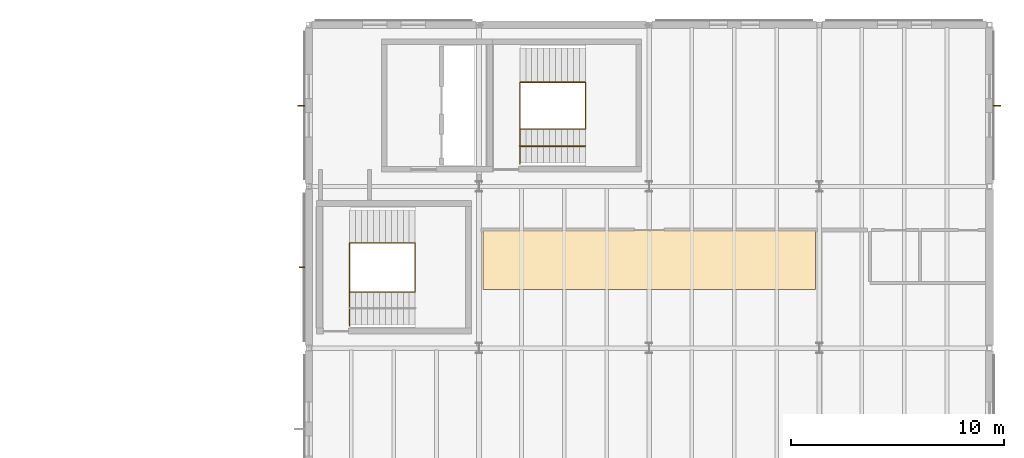
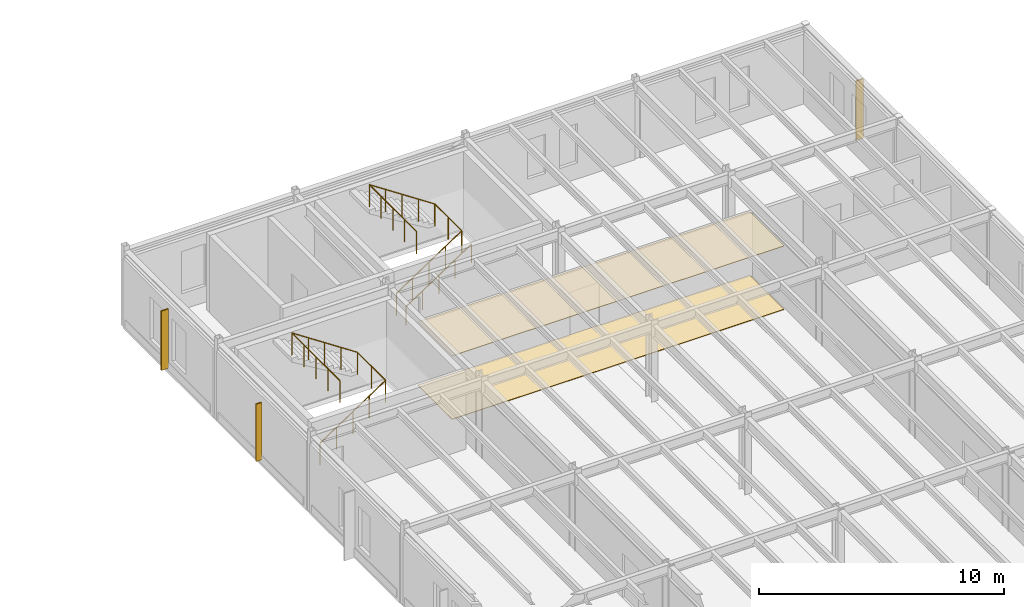
# One storey, part 189 of 189: 3 railings, 3 shading devices, 2 coverings.
"""IFC4 building model written with IfcOpenShell, lengths in metres."""

from ifc_helpers import new_model, si_unit, direction, frame, origin, origin_2d, place, context, subcontext, project, spatial, polyline, rectangle, circle, outline, extrude, material, layer, layer_set, type_object, element, save


model = new_model("IFC4")

# Units and contexts
model_context = context("Model", 3, precision=1e-05, world=origin(), true_north=direction((0.0, 1.0)))
body_context = subcontext(model_context, "Body", "Model", "MODEL_VIEW")
ifc_project = project(units=[si_unit("LENGTHUNIT", "METRE"), si_unit("AREAUNIT", "SQUARE_METRE"), si_unit("VOLUMEUNIT", "CUBIC_METRE"), si_unit("PLANEANGLEUNIT", "RADIAN"), si_unit("MASSUNIT", "GRAM", prefix="KILO")], contexts=[model_context])

# Site, building, storey
site_placement = place(None, origin())
site = spatial("IfcSite", under=ifc_project, at=site_placement, CompositionType="ELEMENT")
building_placement = place(site_placement, origin())
building = spatial("IfcBuilding", under=site, at=building_placement, Name="Montecoro Central Library", CompositionType="ELEMENT")
storey_placement = place(building_placement, frame((0.0, 0.0, 9.179931640625)))
storey = spatial("IfcBuildingStorey", under=building, at=storey_placement, Name="L02", CompositionType="ELEMENT", Elevation=9.179931640625)

# Coverings
ifc_material_1 = material(Name="Acoustic perforated mineral ceiling")
ifc_layer_1 = layer(ifc_material_1, 0.02490234375)
ifc_layer_set_1 = layer_set([ifc_layer_1], Name="Acoustic perforated mineral ceiling")
covering_type_1 = type_object("IfcCoveringType", Name="COV-CLG-01", PredefinedType="CEILING", material=ifc_layer_set_1)
covering_1_placement = place(storey_placement, frame((0.0, 0.0, 3.155029296875)))
element("IfcCovering", 1, at=covering_1_placement, inside=storey, type_object=covering_type_1, Name="CLG-SP-V5-L02-R2P1", PredefinedType="CEILING", context=body_context, shape_type="SweptSolid", body=[
    extrude(outline(polyline([(149.18994140625, 106.550048828125), (164.81005859375, 106.550048828125), (164.81005859375, 109.35009765625), (149.18994140625, 109.35009765625), (149.18994140625, 106.550048828125)])), origin(), (0.0, 0.0, 1.0), 0.025146484375),
])
ifc_material_2 = material(Name="Neapolitan brass-inlaid terrazzo flooring")
ifc_layer_2 = layer(ifc_material_2, 0.028076171875)
ifc_layer_set_2 = layer_set([ifc_layer_2], Name="Neapolitan brass-inlaid terrazzo flooring")
covering_type_2 = type_object("IfcCoveringType", Name="COV-FLR-01", PredefinedType="FLOORING", material=ifc_layer_set_2)
covering_2_placement = place(storey_placement, origin())
element("IfcCovering", 2, at=covering_2_placement, inside=storey, type_object=covering_type_2, Name="FLR-SP-V5-L02-R2P1", PredefinedType="FLOORING", context=body_context, shape_type="SweptSolid", body=[
    extrude(outline(polyline([(149.18994140625, 106.550048828125), (164.81005859375, 106.550048828125), (164.81005859375, 109.35009765625), (149.18994140625, 109.35009765625), (149.18994140625, 106.550048828125)])), origin(), (0.0, 0.0, 1.0), 0.028076171875),
])

# Railings
ifc_material_3 = material(Name="Brushed stainless steel and bronze balustrade", Category="steel")
railing_type_1 = type_object("IfcRailingType", Name="GRD-INT-110", PredefinedType="GUARDRAIL", material=ifc_material_3)
railing_1_placement = place(storey_placement, frame((150.919921875, 114.10009765625, 0.0)))
element("IfcRailing", 3, at=railing_1_placement, inside=storey, type_object=railing_type_1, Name="C6-L02-STR-GRD", PredefinedType="GUARDRAIL", context=body_context, shape_type="SweptSolid", body=[
    extrude(circle(Radius=0.02392578125, at=origin_2d()), frame((0.0, 0.0, 1.09619140625), z_axis=(0.833713881912, 0.0, 0.552196670677), x_axis=(0.0, 1.0, 0.0)), (0.0, 0.0, 1.0), 3.6943359375),
    extrude(circle(Radius=0.02392578125, at=origin_2d()), frame((3.080078125, 0.0, 3.13623046875), z_axis=(0.0, 1.0, 0.0), x_axis=(-1.0, 0.0, 0.0)), (0.0, 0.0, 1.0), 2.199951171875),
    extrude(circle(Radius=0.02392578125, at=origin_2d()), frame((3.080078125, 2.199951171875, 3.13623046875), z_axis=(-0.833713881912, 0.0, 0.552196670677), x_axis=(0.0, -1.0, 0.0)), (0.0, 0.0, 1.0), 3.6943359375),
    extrude(circle(Radius=0.02392578125, at=origin_2d()), frame((0.0, 2.199951171875, 5.17626953125), z_axis=(0.0, -1.0, 0.0), x_axis=(1.0, 0.0, 0.0)), (0.0, 0.0, 1.0), 3.85009765625),
    extrude(circle(Radius=0.02099609375, at=origin_2d()), origin(), (0.0, 0.0, 1.0), 1.072021484375),
    extrude(circle(Radius=0.02099609375, at=origin_2d()), frame((0.77001953125, 0.0, 0.510009765625)), (0.0, 0.0, 1.0), 1.072021484375),
    extrude(circle(Radius=0.02099609375, at=origin_2d()), frame((1.5400390625, 0.0, 1.02001953125)), (0.0, 0.0, 1.0), 1.072021484375),
    extrude(circle(Radius=0.02099609375, at=origin_2d()), frame((2.31005859375, 0.0, 1.530029296875)), (0.0, 0.0, 1.0), 1.072021484375),
    extrude(circle(Radius=0.02099609375, at=origin_2d()), frame((3.080078125, 0.0, 2.0400390625)), (0.0, 0.0, 1.0), 1.072021484375),
    extrude(circle(Radius=0.02099609375, at=origin_2d()), frame((3.080078125, 1.10009765625, 2.0400390625)), (0.0, 0.0, 1.0), 1.072021484375),
    extrude(circle(Radius=0.02099609375, at=origin_2d()), frame((3.080078125, 2.199951171875, 2.0400390625)), (0.0, 0.0, 1.0), 1.072021484375),
    extrude(circle(Radius=0.02099609375, at=origin_2d()), frame((2.31005859375, 2.199951171875, 2.550048828125)), (0.0, 0.0, 1.0), 1.072021484375),
    extrude(circle(Radius=0.02099609375, at=origin_2d()), frame((1.5400390625, 2.199951171875, 3.06005859375)), (0.0, 0.0, 1.0), 1.072021484375),
    extrude(circle(Radius=0.02099609375, at=origin_2d()), frame((0.77001953125, 2.199951171875, 3.570068359375)), (0.0, 0.0, 1.0), 1.072021484375),
    extrude(circle(Radius=0.02099609375, at=origin_2d()), frame((0.0, 2.199951171875, 4.080078125)), (0.0, 0.0, 1.0), 1.072021484375),
    extrude(circle(Radius=0.02099609375, at=origin_2d()), frame((0.0, 1.2373046875, 4.080078125)), (0.0, 0.0, 1.0), 1.072021484375),
    extrude(circle(Radius=0.02099609375, at=origin_2d()), frame((0.0, 0.27490234375, 4.080078125)), (0.0, 0.0, 1.0), 1.072021484375),
    extrude(circle(Radius=0.02099609375, at=origin_2d()), frame((0.0, -0.6875, 4.080078125)), (0.0, 0.0, 1.0), 1.072021484375),
    extrude(circle(Radius=0.02099609375, at=origin_2d()), frame((0.0, -1.650146484375, 4.080078125)), (0.0, 0.0, 1.0), 1.072021484375),
])
railing_2_placement = place(storey_placement, frame((142.919921875, 106.449951171875, 0.0)))
element("IfcRailing", 4, at=railing_2_placement, inside=storey, type_object=railing_type_1, Name="C8-L02-STR-GRD", PredefinedType="GUARDRAIL", context=body_context, shape_type="SweptSolid", body=[
    extrude(circle(Radius=0.02392578125, at=origin_2d()), frame((0.0, 0.0, 1.09619140625), z_axis=(0.833713881912, 0.0, 0.552196670677), x_axis=(0.0, 1.0, 0.0)), (0.0, 0.0, 1.0), 3.6943359375),
    extrude(circle(Radius=0.02392578125, at=origin_2d()), frame((3.080078125, 0.0, 3.13623046875), z_axis=(0.0, 1.0, 0.0), x_axis=(-1.0, 0.0, 0.0)), (0.0, 0.0, 1.0), 2.300048828125),
    extrude(circle(Radius=0.02392578125, at=origin_2d()), frame((3.080078125, 2.300048828125, 3.13623046875), z_axis=(-0.833713881912, 0.0, 0.552196670677), x_axis=(0.0, -1.0, 0.0)), (0.0, 0.0, 1.0), 3.6943359375),
    extrude(circle(Radius=0.02392578125, at=origin_2d()), frame((0.0, 2.300048828125, 5.17626953125), z_axis=(0.0, -1.0, 0.0), x_axis=(1.0, 0.0, 0.0)), (0.0, 0.0, 1.0), 3.89990234375),
    extrude(circle(Radius=0.02099609375, at=origin_2d()), origin(), (0.0, 0.0, 1.0), 1.072021484375),
    extrude(circle(Radius=0.02099609375, at=origin_2d()), frame((0.77001953125, 0.0, 0.510009765625)), (0.0, 0.0, 1.0), 1.072021484375),
    extrude(circle(Radius=0.02099609375, at=origin_2d()), frame((1.5400390625, 0.0, 1.02001953125)), (0.0, 0.0, 1.0), 1.072021484375),
    extrude(circle(Radius=0.02099609375, at=origin_2d()), frame((2.31005859375, 0.0, 1.530029296875)), (0.0, 0.0, 1.0), 1.072021484375),
    extrude(circle(Radius=0.02099609375, at=origin_2d()), frame((3.080078125, 0.0, 2.0400390625)), (0.0, 0.0, 1.0), 1.072021484375),
    extrude(circle(Radius=0.02099609375, at=origin_2d()), frame((3.080078125, 1.14990234375, 2.0400390625)), (0.0, 0.0, 1.0), 1.072021484375),
    extrude(circle(Radius=0.02099609375, at=origin_2d()), frame((3.080078125, 2.300048828125, 2.0400390625)), (0.0, 0.0, 1.0), 1.072021484375),
    extrude(circle(Radius=0.02099609375, at=origin_2d()), frame((2.31005859375, 2.300048828125, 2.550048828125)), (0.0, 0.0, 1.0), 1.072021484375),
    extrude(circle(Radius=0.02099609375, at=origin_2d()), frame((1.5400390625, 2.300048828125, 3.06005859375)), (0.0, 0.0, 1.0), 1.072021484375),
    extrude(circle(Radius=0.02099609375, at=origin_2d()), frame((0.77001953125, 2.300048828125, 3.570068359375)), (0.0, 0.0, 1.0), 1.072021484375),
    extrude(circle(Radius=0.02099609375, at=origin_2d()), frame((0.0, 2.300048828125, 4.080078125)), (0.0, 0.0, 1.0), 1.072021484375),
    extrude(circle(Radius=0.02099609375, at=origin_2d()), frame((0.0, 1.3251953125, 4.080078125)), (0.0, 0.0, 1.0), 1.072021484375),
    extrude(circle(Radius=0.02099609375, at=origin_2d()), frame((0.0, 0.35009765625, 4.080078125)), (0.0, 0.0, 1.0), 1.072021484375),
    extrude(circle(Radius=0.02099609375, at=origin_2d()), frame((0.0, -0.625, 4.080078125)), (0.0, 0.0, 1.0), 1.072021484375),
    extrude(circle(Radius=0.02099609375, at=origin_2d()), frame((0.0, -1.599853515625, 4.080078125)), (0.0, 0.0, 1.0), 1.072021484375),
])
ifc_material_4 = material(Name="Brushed architectural bronze handrail")
railing_type_2 = type_object("IfcRailingType", Name="HRL-STR-095", PredefinedType="HANDRAIL", material=ifc_material_4)
railing_3_placement = place(storey_placement, frame((150.919921875, 113.300048828125, 0.0)))
element("IfcRailing", 5, at=railing_3_placement, inside=storey, type_object=railing_type_2, Name="C6-L02-STR-HR1", PredefinedType="HANDRAIL", context=body_context, shape_type="SweptSolid", body=[
    extrude(circle(Radius=0.02392578125, at=origin_2d()), frame((0.0, 0.0, 0.92578125), z_axis=(0.833713881912, 0.0, 0.552196670677), x_axis=(0.0, 1.0, 0.0)), (0.0, 0.0, 1.0), 3.6943359375),
    extrude(circle(Radius=0.02099609375, at=origin_2d()), origin(), (0.0, 0.0, 1.0), 0.90185546875),
    extrude(circle(Radius=0.02099609375, at=origin_2d()), frame((0.77001953125, 0.0, 0.510009765625)), (0.0, 0.0, 1.0), 0.90185546875),
    extrude(circle(Radius=0.02099609375, at=origin_2d()), frame((1.5400390625, 0.0, 1.02001953125)), (0.0, 0.0, 1.0), 0.90185546875),
    extrude(circle(Radius=0.02099609375, at=origin_2d()), frame((2.31005859375, 0.0, 1.530029296875)), (0.0, 0.0, 1.0), 0.90185546875),
    extrude(circle(Radius=0.02099609375, at=origin_2d()), frame((3.080078125, 0.0, 2.0400390625)), (0.0, 0.0, 1.0), 0.90185546875),
])

# Shading devices
ifc_material_5 = material(Name="Architectural bronze solar fin", Category="aluminium")
shading_device_type_1 = type_object("IfcShadingDeviceType", Name="SHD-FIN-13", PredefinedType="USERDEFINED", material=ifc_material_5)
shading_device_placement = place(storey_placement, frame((140.689453125, 107.60009765625, 0.31494140625), z_axis=(0.0, 0.0, 1.0), x_axis=(0.0, -1.0, 0.0)))
element("IfcShadingDevice", 6, at=shading_device_placement, inside=storey, type_object=shading_device_type_1, Name="V5-L02-FIN-W4", ObjectType="SOLAR FIN", PredefinedType="USERDEFINED", context=body_context, shape_type="SweptSolid", body=[
    extrude(rectangle(XDim=0.06005859375, YDim=0.260009765625, at=origin_2d()), origin(), (0.0, 0.0, 1.0), 2.85009765625),
])
shading_device_type_2 = type_object("IfcShadingDeviceType", Name="SHD-FIN-14", PredefinedType="USERDEFINED", material=ifc_material_5)
for number, where, z_axis, x_axis, name in (
    (7, (173.3505859375, 115.199951171875, 0.26513671875), (0.0, 0.0, 1.0), (0.0, 1.0, 0.0), "V5-L02-FIN-E5"),
    (8, (140.6494140625, 115.199951171875, 0.26513671875), (0.0, 0.0, 1.0), (0.0, -1.0, 0.0), "V5-L02-FIN-W5"),
):
    element("IfcShadingDevice", number, at=place(storey_placement, frame(where, z_axis=z_axis, x_axis=x_axis)), inside=storey, type_object=shading_device_type_2, Name=name, ObjectType="SOLAR FIN", PredefinedType="USERDEFINED", context=body_context, shape_type="SweptSolid", body=[
        extrude(rectangle(XDim=0.06005859375, YDim=0.340087890625, at=origin_2d()), origin(), (0.0, 0.0, 1.0), 2.949951171875),
    ])

save(model, "model.ifc")
